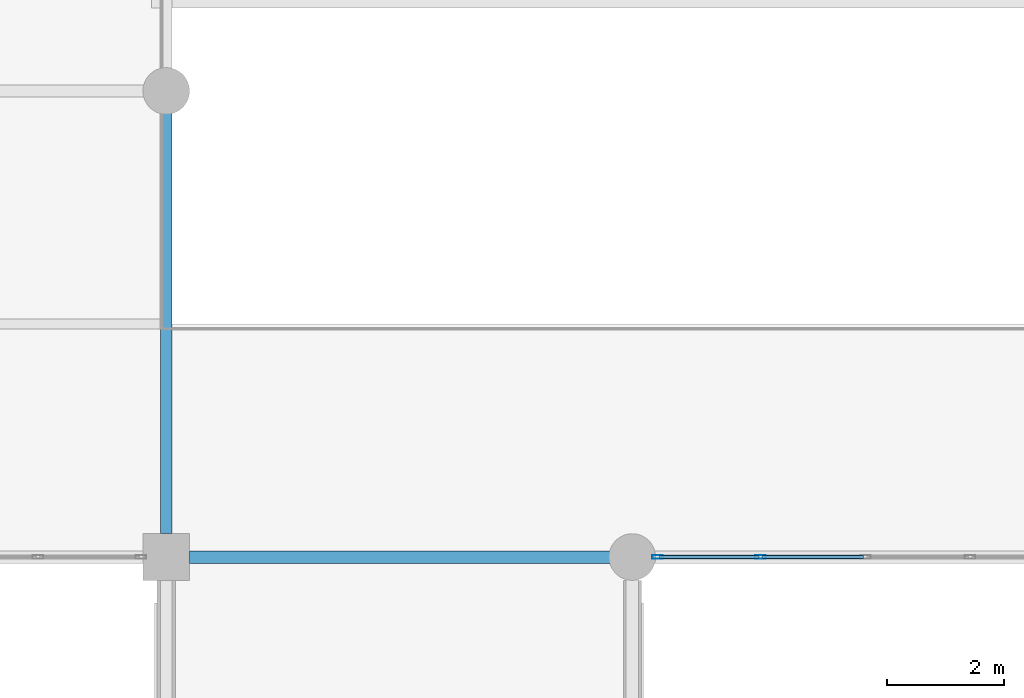
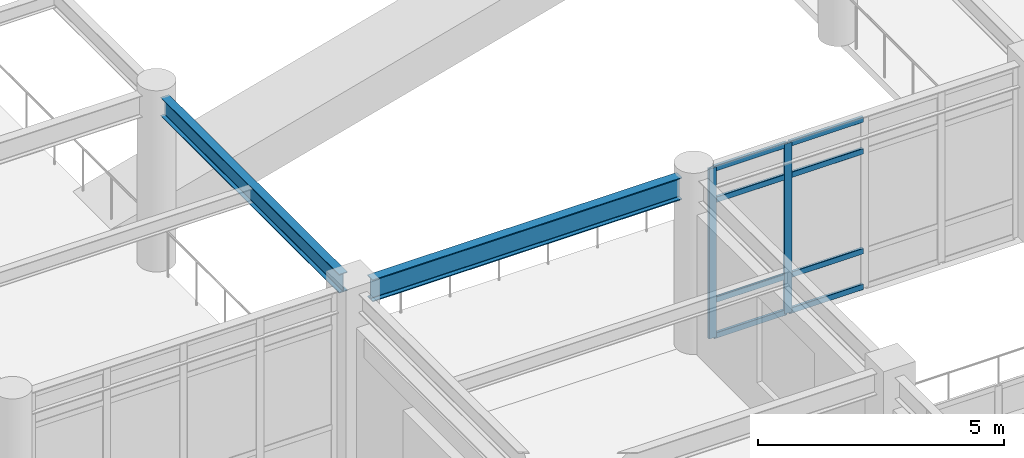
# One storey, part 23 of 111: 10 members, 2 beams, 1 element without a shape of its own.
"""IFC4 building model written with IfcOpenShell, lengths in metres."""

from ifc_helpers import new_model, si_unit, direction, frame, origin, origin_2d, place, context, subcontext, project, spatial, hollow_rectangle, i_section, extrude, material, material_profile, profile_set, type_object, element, aggregate, save


model = new_model("IFC4")

# Units and contexts
model_context = context("Model", 3, precision=1e-05, world=origin(), true_north=direction((0.0, 1.0)))
body_context = subcontext(model_context, "Body", "Model", "MODEL_VIEW")
ifc_project = project(units=[si_unit("LENGTHUNIT", "METRE"), si_unit("AREAUNIT", "SQUARE_METRE"), si_unit("VOLUMEUNIT", "CUBIC_METRE"), si_unit("PLANEANGLEUNIT", "RADIAN"), si_unit("MASSUNIT", "GRAM", prefix="KILO")], contexts=[model_context])

# Site, building, storey
site_placement = place(None, origin())
site = spatial("IfcSite", under=ifc_project, at=site_placement, CompositionType="ELEMENT")
building_placement = place(site_placement, origin())
building = spatial("IfcBuilding", under=site, at=building_placement, Name="Solmirada Galleria", CompositionType="ELEMENT")
storey_placement = place(building_placement, frame((0.0, 0.0, 10.39990234375)))
storey = spatial("IfcBuildingStorey", under=building, at=storey_placement, Name="L02", CompositionType="ELEMENT", Elevation=10.39990234375)

# Beams
ifc_material_1 = material(Name="Steel S355 / ASTM A992 Grade 50", Category="steel")
ifc_material_profile_1 = material_profile(ifc_material_1, i_section(OverallWidth=0.194091796875, OverallDepth=0.468994140625, WebThickness=0.0126953125, FlangeThickness=0.0205078125, FilletRadius=0.013916015625, at=origin_2d()), Name="W18X71")
ifc_profile_set_1 = profile_set([ifc_material_profile_1], Name="Steel S355 / ASTM A992 Grade 50")
beam_type_1 = type_object("IfcBeamType", Name="BM-GIRD-W18B", PredefinedType="BEAM", material=ifc_profile_set_1)
beam_1_placement = place(storey_placement, frame((88.0, 48.39990234375, 4.065673828125), z_axis=(0.0, 1.0, 0.0), x_axis=(-1.0, 0.0, 0.0)))
element("IfcBeam", 1, at=beam_1_placement, inside=storey, type_object=beam_type_1, Name="Primary girder L03 Y(88, 48..56)", PredefinedType="BEAM", context=body_context, shape_type="SweptSolid", body=[
    extrude(i_section(OverallWidth=0.194091796875, OverallDepth=0.468994140625, WebThickness=0.0126953125, FlangeThickness=0.0205078125, FilletRadius=0.013916015625, at=origin_2d()), origin(), (0.0, 0.0, 1.0), 7.26416015625),
])
ifc_material_profile_2 = material_profile(ifc_material_1, i_section(OverallWidth=0.214111328125, OverallDepth=0.549072265625, WebThickness=0.0146484375, FlangeThickness=0.023681640625, FilletRadius=0.014892578125, at=origin_2d()), Name="W21X93")
ifc_profile_set_2 = profile_set([ifc_material_profile_2], Name="Steel S355 / ASTM A992 Grade 50")
beam_type_2 = type_object("IfcBeamType", Name="BM-GIRD-W21A", PredefinedType="BEAM", material=ifc_profile_set_2)
beam_2_placement = place(storey_placement, frame((88.39990234375, 48.0, 4.025634765625), z_axis=(1.0, 0.0, 0.0), x_axis=(0.0, 1.0, 0.0)))
element("IfcBeam", 2, at=beam_2_placement, inside=storey, type_object=beam_type_2, Name="Primary beam L03 X(88..96, 48)", PredefinedType="BEAM", context=body_context, shape_type="SweptSolid", body=[
    extrude(i_section(OverallWidth=0.214111328125, OverallDepth=0.549072265625, WebThickness=0.0146484375, FlangeThickness=0.023681640625, FilletRadius=0.014892578125, at=origin_2d()), origin(), (0.0, 0.0, 1.0), 7.26416015625),
])

# Curtain wall, members
ifc_material_2 = material(Name="Impact-resistant low-E double glazing", Category="glass")
curtain_wall_type = type_object("IfcCurtainWallType", Name="CW-FZ3-L02-B4-L072", PredefinedType="NOTDEFINED", material=ifc_material_2)
curtain_wall_placement = place(storey_placement, origin())
curtain_wall = element("IfcCurtainWall", 3, at=curtain_wall_placement, inside=storey, type_object=curtain_wall_type, Name="Terrace and arcade storefront CW-L02-110", PredefinedType="NOTDEFINED")
ifc_material_3 = material(Name="Anodised aluminium framing", Category="aluminium")
ifc_material_profile_3 = material_profile(ifc_material_3, hollow_rectangle(XDim=0.06494140625, YDim=0.179931640625, WallThickness=0.00390625, InnerFilletRadius=0.00390625, OuterFilletRadius=0.008056640625, at=origin_2d()), Name="ALU-MULL-180X65")
ifc_profile_set_3 = profile_set([ifc_material_profile_3], Name="Anodised aluminium framing")
member_type_1 = type_object("IfcMemberType", Name="CW-MULL-180", PredefinedType="MULLION", material=ifc_profile_set_3)
member_1_placement = place(storey_placement, frame((98.200927734375, 48.0, 0.0), z_axis=(0.0, 0.0, 1.0), x_axis=(0.0, -1.0, 0.0)))
member_1 = element("IfcMember", 4, at=member_1_placement, type_object=member_type_1, Name="CW21 mullion 4", PredefinedType="MULLION", context=body_context, shape_type="SweptSolid", body=[
    extrude(hollow_rectangle(XDim=0.06494140625, YDim=0.179931640625, WallThickness=0.00390625, InnerFilletRadius=0.00390625, OuterFilletRadius=0.008056640625, at=origin_2d()), origin(), (0.0, 0.0, 1.0), 4.22021484375),
])
member_2_placement = place(storey_placement, frame((96.4345703125, 48.0, 0.0), z_axis=(0.0, 0.0, 1.0), x_axis=(0.0, -1.0, 0.0)))
member_2 = element("IfcMember", 5, at=member_2_placement, type_object=member_type_1, Name="CW21 mullion 5", PredefinedType="MULLION", context=body_context, shape_type="SweptSolid", body=[
    extrude(hollow_rectangle(XDim=0.06494140625, YDim=0.179931640625, WallThickness=0.00390625, InnerFilletRadius=0.00390625, OuterFilletRadius=0.008056640625, at=origin_2d()), origin(), (0.0, 0.0, 1.0), 4.22021484375),
])
ifc_material_profile_4 = material_profile(ifc_material_3, hollow_rectangle(XDim=0.06494140625, YDim=0.139892578125, WallThickness=0.00341796875, InnerFilletRadius=0.00341796875, OuterFilletRadius=0.007080078125, at=origin_2d()), Name="ALU-TRAN-140X65")
ifc_profile_set_4 = profile_set([ifc_material_profile_4], Name="Anodised aluminium framing")
member_type_2 = type_object("IfcMemberType", Name="CW-TRAN-140", PredefinedType="USERDEFINED", material=ifc_profile_set_4)
member_3_placement = place(storey_placement, frame((99.967529296875, 48.0, 0.03271484375), z_axis=(-1.0, 0.0, 0.0), x_axis=(0.0, -1.0, 0.0)))
member_3 = element("IfcMember", 6, at=member_3_placement, type_object=member_type_2, Name="CW21 transom 3.1", ObjectType="TRANSOM", PredefinedType="USERDEFINED", context=body_context, shape_type="SweptSolid", body=[
    extrude(hollow_rectangle(XDim=0.06494140625, YDim=0.139892578125, WallThickness=0.00341796875, InnerFilletRadius=0.00341796875, OuterFilletRadius=0.007080078125, at=origin_2d()), origin(), (0.0, 0.0, 1.0), 1.734130859375),
])
member_4_placement = place(storey_placement, frame((99.967529296875, 48.0, 0.920166015625), z_axis=(-1.0, 0.0, 0.0), x_axis=(0.0, -1.0, 0.0)))
member_4 = element("IfcMember", 7, at=member_4_placement, type_object=member_type_2, Name="CW21 transom 3.2", ObjectType="TRANSOM", PredefinedType="USERDEFINED", context=body_context, shape_type="SweptSolid", body=[
    extrude(hollow_rectangle(XDim=0.06494140625, YDim=0.139892578125, WallThickness=0.00341796875, InnerFilletRadius=0.00341796875, OuterFilletRadius=0.007080078125, at=origin_2d()), origin(), (0.0, 0.0, 1.0), 1.734130859375),
])
member_5_placement = place(storey_placement, frame((99.967529296875, 48.0, 3.400146484375), z_axis=(-1.0, 0.0, 0.0), x_axis=(0.0, -1.0, 0.0)))
member_5 = element("IfcMember", 8, at=member_5_placement, type_object=member_type_2, Name="CW21 transom 3.3", ObjectType="TRANSOM", PredefinedType="USERDEFINED", context=body_context, shape_type="SweptSolid", body=[
    extrude(hollow_rectangle(XDim=0.06494140625, YDim=0.139892578125, WallThickness=0.00341796875, InnerFilletRadius=0.00341796875, OuterFilletRadius=0.007080078125, at=origin_2d()), origin(), (0.0, 0.0, 1.0), 1.734130859375),
])
member_6_placement = place(storey_placement, frame((99.967529296875, 48.0, 4.1875), z_axis=(-1.0, 0.0, 0.0), x_axis=(0.0, -1.0, 0.0)))
member_6 = element("IfcMember", 9, at=member_6_placement, type_object=member_type_2, Name="CW21 transom 3.4", ObjectType="TRANSOM", PredefinedType="USERDEFINED", context=body_context, shape_type="SweptSolid", body=[
    extrude(hollow_rectangle(XDim=0.06494140625, YDim=0.139892578125, WallThickness=0.00341796875, InnerFilletRadius=0.00341796875, OuterFilletRadius=0.007080078125, at=origin_2d()), origin(), (0.0, 0.0, 1.0), 1.734130859375),
])
member_7_placement = place(storey_placement, frame((98.16845703125, 48.0, 0.03271484375), z_axis=(-1.0, 0.0, 0.0), x_axis=(0.0, -1.0, 0.0)))
member_7 = element("IfcMember", 10, at=member_7_placement, type_object=member_type_2, Name="CW21 transom 4.1", ObjectType="TRANSOM", PredefinedType="USERDEFINED", context=body_context, shape_type="SweptSolid", body=[
    extrude(hollow_rectangle(XDim=0.06494140625, YDim=0.139892578125, WallThickness=0.00341796875, InnerFilletRadius=0.00341796875, OuterFilletRadius=0.007080078125, at=origin_2d()), origin(), (0.0, 0.0, 1.0), 1.701416015625),
])
member_8_placement = place(storey_placement, frame((98.16845703125, 48.0, 0.920166015625), z_axis=(-1.0, 0.0, 0.0), x_axis=(0.0, -1.0, 0.0)))
member_8 = element("IfcMember", 11, at=member_8_placement, type_object=member_type_2, Name="CW21 transom 4.2", ObjectType="TRANSOM", PredefinedType="USERDEFINED", context=body_context, shape_type="SweptSolid", body=[
    extrude(hollow_rectangle(XDim=0.06494140625, YDim=0.139892578125, WallThickness=0.00341796875, InnerFilletRadius=0.00341796875, OuterFilletRadius=0.007080078125, at=origin_2d()), origin(), (0.0, 0.0, 1.0), 1.701416015625),
])
member_9_placement = place(storey_placement, frame((98.16845703125, 48.0, 3.400146484375), z_axis=(-1.0, 0.0, 0.0), x_axis=(0.0, -1.0, 0.0)))
member_9 = element("IfcMember", 12, at=member_9_placement, type_object=member_type_2, Name="CW21 transom 4.3", ObjectType="TRANSOM", PredefinedType="USERDEFINED", context=body_context, shape_type="SweptSolid", body=[
    extrude(hollow_rectangle(XDim=0.06494140625, YDim=0.139892578125, WallThickness=0.00341796875, InnerFilletRadius=0.00341796875, OuterFilletRadius=0.007080078125, at=origin_2d()), origin(), (0.0, 0.0, 1.0), 1.701416015625),
])
member_10_placement = place(storey_placement, frame((98.16845703125, 48.0, 4.1875), z_axis=(-1.0, 0.0, 0.0), x_axis=(0.0, -1.0, 0.0)))
member_10 = element("IfcMember", 13, at=member_10_placement, type_object=member_type_2, Name="CW21 transom 4.4", ObjectType="TRANSOM", PredefinedType="USERDEFINED", context=body_context, shape_type="SweptSolid", body=[
    extrude(hollow_rectangle(XDim=0.06494140625, YDim=0.139892578125, WallThickness=0.00341796875, InnerFilletRadius=0.00341796875, OuterFilletRadius=0.007080078125, at=origin_2d()), origin(), (0.0, 0.0, 1.0), 1.701416015625),
])
aggregate(curtain_wall, [member_1, member_2, member_3, member_4, member_5, member_6, member_7, member_8, member_9, member_10])

save(model, "model.ifc")
